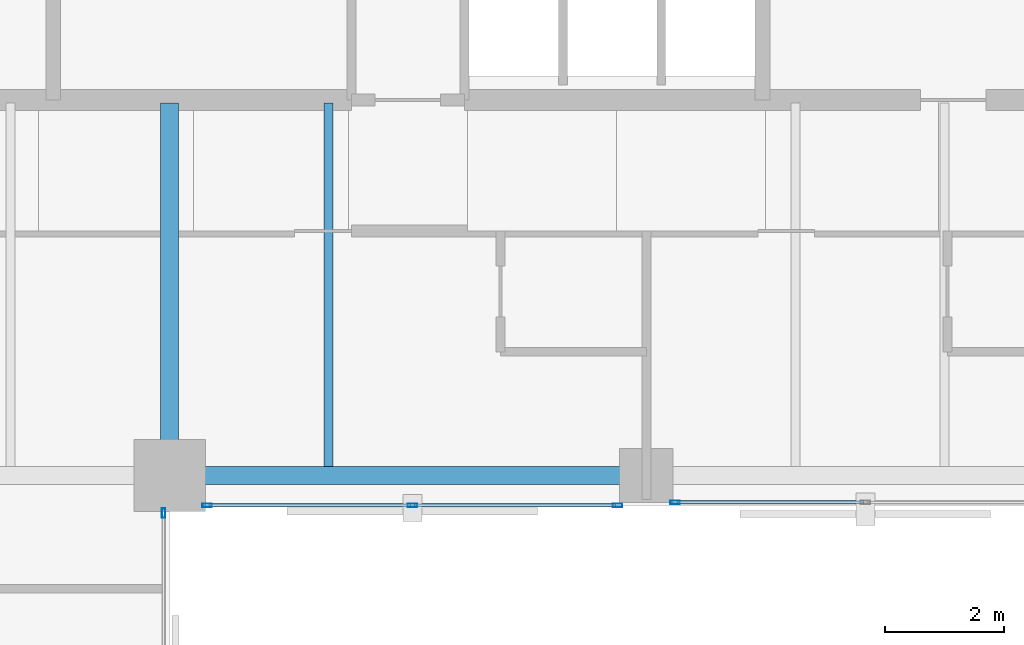
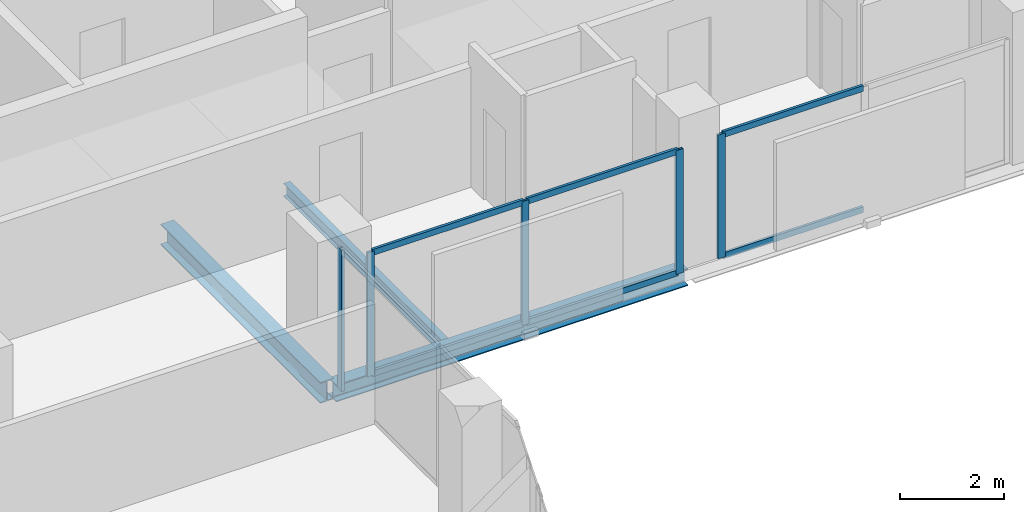
# One storey, part 13 of 34: 11 members, 3 beams, 3 elements without a shape of their own.
"""IFC4 building model written with IfcOpenShell, lengths in metres."""

from ifc_helpers import new_model, si_unit, direction, frame, origin, origin_2d, place, context, subcontext, project, spatial, hollow_rectangle, i_section, extrude, material, layer, layer_set, material_profile, profile_set, type_object, element, aggregate, save


model = new_model("IFC4")

# Units and contexts
model_context = context("Model", 3, precision=1e-05, world=origin(), true_north=direction((0.0, 1.0)))
body_context = subcontext(model_context, "Body", "Model", "MODEL_VIEW")
ifc_project = project(units=[si_unit("LENGTHUNIT", "METRE"), si_unit("AREAUNIT", "SQUARE_METRE"), si_unit("VOLUMEUNIT", "CUBIC_METRE"), si_unit("PLANEANGLEUNIT", "RADIAN"), si_unit("MASSUNIT", "GRAM", prefix="KILO")], contexts=[model_context])

# Site, building, storey
site_placement = place(None, origin())
site = spatial("IfcSite", under=ifc_project, at=site_placement, CompositionType="ELEMENT")
building_placement = place(site_placement, origin())
building = spatial("IfcBuilding", under=site, at=building_placement, Name="Catumbela Crestline Tower", CompositionType="ELEMENT")
storey_placement = place(building_placement, frame((0.0, 0.0, 93.6)))
storey = spatial("IfcBuildingStorey", under=building, at=storey_placement, Name="L23", CompositionType="ELEMENT", Elevation=93.6)

# Beams
ifc_material_1 = material(Name="Structural steel S355J2", Category="steel")
ifc_material_profile_1 = material_profile(ifc_material_1, i_section(OverallWidth=0.3, OverallDepth=0.49, WebThickness=0.012, FlangeThickness=0.023, FilletRadius=0.027, at=origin_2d()), Name="HEA 500")
ifc_profile_set_1 = profile_set([ifc_material_profile_1], Name="Structural steel S355J2")
beam_type_1 = type_object("IfcBeamType", Name="BG-HEA500", PredefinedType="BEAM", material=ifc_profile_set_1)
beam_1_placement = place(storey_placement, frame((24.0, 24.58, -0.505), z_axis=(0.0, 1.0, 0.0), x_axis=(-1.0, 0.0, 0.0)))
element("IfcBeam", 1, at=beam_1_placement, inside=storey, type_object=beam_type_1, Name="L23 Beam BM-L23-SNS29", PredefinedType="BEAM", context=body_context, shape_type="SweptSolid", body=[
    extrude(i_section(OverallWidth=0.3, OverallDepth=0.49, WebThickness=0.012, FlangeThickness=0.023, FilletRadius=0.027, at=origin_2d()), origin(), (0.0, 0.0, 1.0), 6.17),
])
ifc_material_profile_2 = material_profile(ifc_material_1, i_section(OverallWidth=0.15, OverallDepth=0.3, WebThickness=0.0071, FlangeThickness=0.0107, FilletRadius=0.015, at=origin_2d()), Name="IPE 300")
ifc_profile_set_2 = profile_set([ifc_material_profile_2], Name="Structural steel S355J2")
beam_type_2 = type_object("IfcBeamType", Name="BJ-IPE300", PredefinedType="JOIST", material=ifc_profile_set_2)
beam_2_placement = place(storey_placement, frame((26.667, 24.647, -0.41), z_axis=(0.0, 1.0, 0.0), x_axis=(-1.0, 0.0, 0.0)))
element("IfcBeam", 2, at=beam_2_placement, inside=storey, type_object=beam_type_2, Name="L23 Joist JS-L23-SP39", PredefinedType="JOIST", context=body_context, shape_type="SweptSolid", body=[
    extrude(i_section(OverallWidth=0.15, OverallDepth=0.3, WebThickness=0.0071, FlangeThickness=0.0107, FilletRadius=0.015, at=origin_2d()), origin(), (0.0, 0.0, 1.0), 6.103),
])

# Curtain wall, member
ifc_material_2 = material(Name="Aluminium alloy AW-6060-T66", Category="aluminium")
ifc_layer = layer(ifc_material_2, 0.18, Name="Aluminium alloy AW-6060-T66")
ifc_layer_set = layer_set([ifc_layer], Name="Aluminium alloy AW-6060-T66")
curtain_wall_type = type_object("IfcCurtainWallType", Name="CWU-Z2", PredefinedType="USERDEFINED", material=ifc_layer_set)
curtain_wall_1_placement = place(storey_placement, origin())
curtain_wall_1 = element("IfcCurtainWall", 3, at=curtain_wall_1_placement, inside=storey, type_object=curtain_wall_type, Name="L23 Unitised Curtain Wall CW-L23-E2S1", ObjectType="UNITISED", PredefinedType="USERDEFINED")
ifc_material_profile_3 = material_profile(ifc_material_2, hollow_rectangle(XDim=0.06, YDim=0.16, WallThickness=0.004, at=origin_2d()), Name="ALU 160x60x4")
ifc_profile_set_3 = profile_set([ifc_material_profile_3], Name="Aluminium alloy AW-6060-T66")
member_type_1 = type_object("IfcMemberType", Name="MUL-160X60", PredefinedType="MULLION", material=ifc_profile_set_3)
member_1_placement = place(storey_placement, frame((23.9, 23.8675, 0.0), z_axis=(0.0, 0.0, 1.0), x_axis=(-1.0, 0.0, 0.0)))
member_1 = element("IfcMember", 4, at=member_1_placement, type_object=member_type_1, Name="CWU-Z2 mullion 5", PredefinedType="MULLION", context=body_context, shape_type="SweptSolid", body=[
    extrude(hollow_rectangle(XDim=0.06, YDim=0.16, WallThickness=0.004, at=origin_2d()), origin(), (0.0, 0.0, 1.0), 3.33),
])
aggregate(curtain_wall_1, [member_1])

# Curtain wall, members
curtain_wall_2_placement = place(storey_placement, origin())
curtain_wall_2 = element("IfcCurtainWall", 5, at=curtain_wall_2_placement, inside=storey, type_object=curtain_wall_type, Name="L23 Unitised Curtain Wall CW-L23-E3S1", ObjectType="UNITISED", PredefinedType="USERDEFINED")
member_2_placement = place(storey_placement, frame((24.6325, 24.0, 0.0), z_axis=(0.0, 0.0, 1.0), x_axis=(0.0, 1.0, 0.0)))
member_2 = element("IfcMember", 6, at=member_2_placement, type_object=member_type_1, Name="CWU-Z2 mullion 1", PredefinedType="MULLION", context=body_context, shape_type="SweptSolid", body=[
    extrude(hollow_rectangle(XDim=0.06, YDim=0.16, WallThickness=0.004, at=origin_2d()), origin(), (0.0, 0.0, 1.0), 2.92),
])
member_3_placement = place(storey_placement, frame((28.075, 24.0, 0.0), z_axis=(0.0, 0.0, 1.0), x_axis=(0.0, 1.0, 0.0)))
member_3 = element("IfcMember", 7, at=member_3_placement, type_object=member_type_1, Name="CWU-Z2 mullion 2", PredefinedType="MULLION", context=body_context, shape_type="SweptSolid", body=[
    extrude(hollow_rectangle(XDim=0.06, YDim=0.16, WallThickness=0.004, at=origin_2d()), origin(), (0.0, 0.0, 1.0), 2.92),
])
member_4_placement = place(storey_placement, frame((31.5175, 24.0, 0.0), z_axis=(0.0, 0.0, 1.0), x_axis=(0.0, 1.0, 0.0)))
member_4 = element("IfcMember", 8, at=member_4_placement, type_object=member_type_1, Name="CWU-Z2 mullion 3", PredefinedType="MULLION", context=body_context, shape_type="SweptSolid", body=[
    extrude(hollow_rectangle(XDim=0.06, YDim=0.16, WallThickness=0.004, at=origin_2d()), origin(), (0.0, 0.0, 1.0), 2.92),
])

# Curtain wall, member
curtain_wall_3_placement = place(storey_placement, origin())
curtain_wall_3 = element("IfcCurtainWall", 9, at=curtain_wall_3_placement, inside=storey, type_object=curtain_wall_type, Name="L23 Unitised Curtain Wall CW-L23-E3S2", ObjectType="UNITISED", PredefinedType="USERDEFINED")
member_5_placement = place(storey_placement, frame((32.4825, 24.05, 0.0), z_axis=(0.0, 0.0, 1.0), x_axis=(0.0, 1.0, 0.0)))
member_5 = element("IfcMember", 10, at=member_5_placement, type_object=member_type_1, Name="CWU-Z2 mullion 1", PredefinedType="MULLION", context=body_context, shape_type="SweptSolid", body=[
    extrude(hollow_rectangle(XDim=0.06, YDim=0.16, WallThickness=0.004, at=origin_2d()), origin(), (0.0, 0.0, 1.0), 2.92),
])

# Beam
ifc_material_profile_4 = material_profile(ifc_material_1, i_section(OverallWidth=0.3, OverallDepth=0.4, WebThickness=0.0135, FlangeThickness=0.024, FilletRadius=0.027, at=origin_2d()), Name="HEB 400")
ifc_profile_set_4 = profile_set([ifc_material_profile_4], Name="Structural steel S355J2")
beam_type_3 = type_object("IfcBeamType", Name="BS-HEB400", PredefinedType="SPANDREL", material=ifc_profile_set_4)
beam_3_placement = place(storey_placement, frame((24.08, 24.5, -0.46), z_axis=(1.0, 0.0, 0.0), x_axis=(0.0, 1.0, 0.0)))
element("IfcBeam", 11, at=beam_3_placement, inside=storey, type_object=beam_type_3, Name="L23 Spandrel SP-L23-S05", PredefinedType="SPANDREL", context=body_context, shape_type="SweptSolid", body=[
    extrude(i_section(OverallWidth=0.3, OverallDepth=0.4, WebThickness=0.0135, FlangeThickness=0.024, FilletRadius=0.027, at=origin_2d()), origin(), (0.0, 0.0, 1.0), 7.84),
])

# Member
ifc_material_profile_5 = material_profile(ifc_material_2, hollow_rectangle(XDim=0.06, YDim=0.14, WallThickness=0.004, at=origin_2d()), Name="ALU 140x60x4")
ifc_profile_set_5 = profile_set([ifc_material_profile_5], Name="Aluminium alloy AW-6060-T66")
member_type_2 = type_object("IfcMemberType", Name="TRN-140X60", PredefinedType="USERDEFINED", material=ifc_profile_set_5)
member_6_placement = place(storey_placement, frame((24.665, 24.0, 0.03), z_axis=(1.0, 0.0, 0.0), x_axis=(0.0, 1.0, 0.0)))
member_6 = element("IfcMember", 12, at=member_6_placement, type_object=member_type_2, Name="CWU-Z2 transom 1.1", ObjectType="TRANSOM", PredefinedType="USERDEFINED", context=body_context, shape_type="SweptSolid", body=[
    extrude(hollow_rectangle(XDim=0.06, YDim=0.14, WallThickness=0.004, at=origin_2d()), origin(), (0.0, 0.0, 1.0), 3.3775),
])

member_7_placement = place(storey_placement, frame((24.665, 24.0, 2.89), z_axis=(1.0, 0.0, 0.0), x_axis=(0.0, 1.0, 0.0)))
member_7 = element("IfcMember", 13, at=member_7_placement, type_object=member_type_2, Name="CWU-Z2 transom 1.2", ObjectType="TRANSOM", PredefinedType="USERDEFINED", context=body_context, shape_type="SweptSolid", body=[
    extrude(hollow_rectangle(XDim=0.06, YDim=0.14, WallThickness=0.004, at=origin_2d()), origin(), (0.0, 0.0, 1.0), 3.3775),
])

member_8_placement = place(storey_placement, frame((28.1075, 24.0, 0.03), z_axis=(1.0, 0.0, 0.0), x_axis=(0.0, 1.0, 0.0)))
member_8 = element("IfcMember", 14, at=member_8_placement, type_object=member_type_2, Name="CWU-Z2 transom 2.1", ObjectType="TRANSOM", PredefinedType="USERDEFINED", context=body_context, shape_type="SweptSolid", body=[
    extrude(hollow_rectangle(XDim=0.06, YDim=0.14, WallThickness=0.004, at=origin_2d()), origin(), (0.0, 0.0, 1.0), 3.3775),
])

member_9_placement = place(storey_placement, frame((28.1075, 24.0, 2.89), z_axis=(1.0, 0.0, 0.0), x_axis=(0.0, 1.0, 0.0)))
member_9 = element("IfcMember", 15, at=member_9_placement, type_object=member_type_2, Name="CWU-Z2 transom 2.2", ObjectType="TRANSOM", PredefinedType="USERDEFINED", context=body_context, shape_type="SweptSolid", body=[
    extrude(hollow_rectangle(XDim=0.06, YDim=0.14, WallThickness=0.004, at=origin_2d()), origin(), (0.0, 0.0, 1.0), 3.3775),
])

aggregate(curtain_wall_2, [member_2, member_3, member_4, member_6, member_7, member_8, member_9])

member_10_placement = place(storey_placement, frame((32.515, 24.05, 0.03), z_axis=(1.0, 0.0, 0.0), x_axis=(0.0, 1.0, 0.0)))
member_10 = element("IfcMember", 16, at=member_10_placement, type_object=member_type_2, Name="CWU-Z2 transom 1.1", ObjectType="TRANSOM", PredefinedType="USERDEFINED", context=body_context, shape_type="SweptSolid", body=[
    extrude(hollow_rectangle(XDim=0.06, YDim=0.14, WallThickness=0.004, at=origin_2d()), origin(), (0.0, 0.0, 1.0), 3.1275),
])

member_11_placement = place(storey_placement, frame((32.515, 24.05, 2.89), z_axis=(1.0, 0.0, 0.0), x_axis=(0.0, 1.0, 0.0)))
member_11 = element("IfcMember", 17, at=member_11_placement, type_object=member_type_2, Name="CWU-Z2 transom 1.2", ObjectType="TRANSOM", PredefinedType="USERDEFINED", context=body_context, shape_type="SweptSolid", body=[
    extrude(hollow_rectangle(XDim=0.06, YDim=0.14, WallThickness=0.004, at=origin_2d()), origin(), (0.0, 0.0, 1.0), 3.1275),
])

aggregate(curtain_wall_3, [member_5, member_10, member_11])

save(model, "model.ifc")
